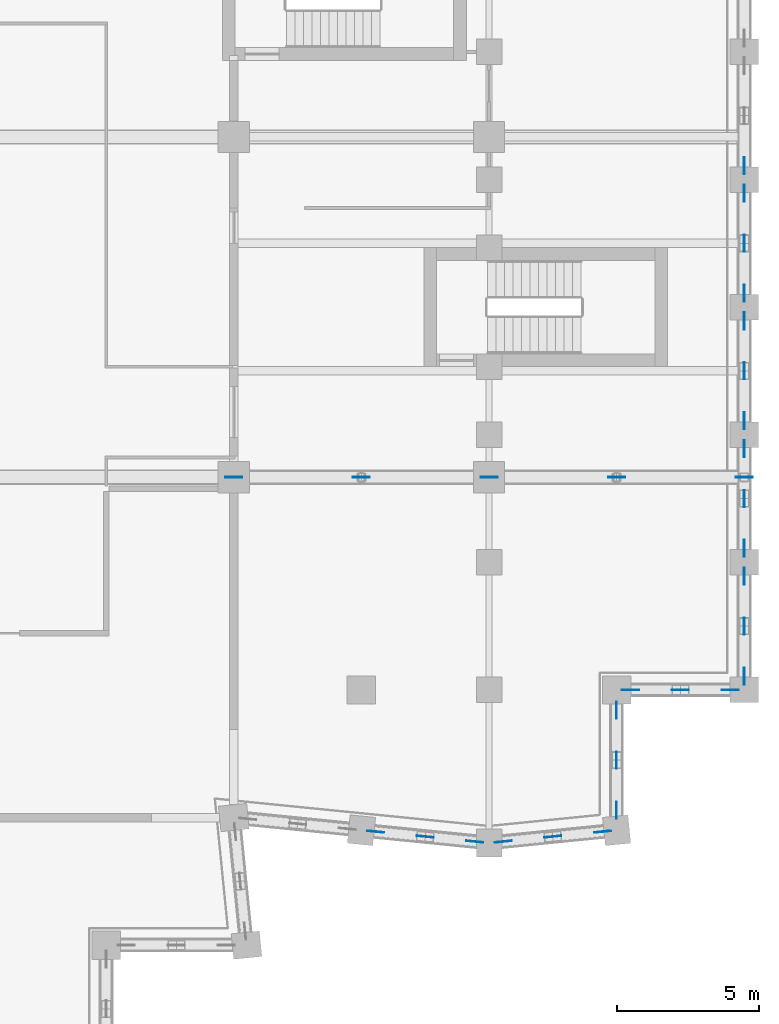
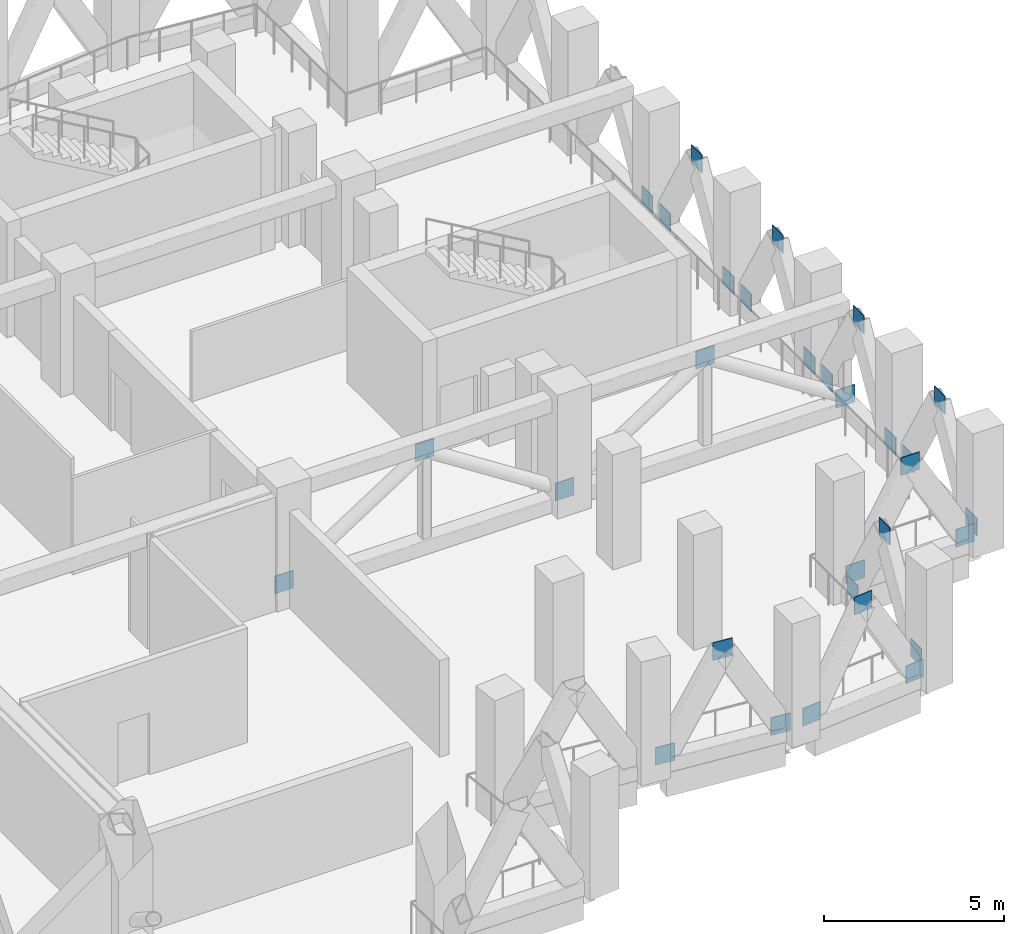
# One storey, part 13 of 18: 30 discrete accessories.
"""IFC4 building model written with IfcOpenShell, lengths in metres."""

from ifc_helpers import new_model, si_unit, direction, frame, origin, origin_2d, place, context, subcontext, project, spatial, rectangle, extrude, material, layer, layer_set, type_object, element, save


model = new_model("IFC4")

# Units and contexts
model_context = context("Model", 3, precision=1e-05, world=origin(), true_north=direction((0.0, 1.0)))
body_context = subcontext(model_context, "Body", "Model", "MODEL_VIEW")
ifc_project = project(units=[si_unit("LENGTHUNIT", "METRE"), si_unit("AREAUNIT", "SQUARE_METRE"), si_unit("VOLUMEUNIT", "CUBIC_METRE"), si_unit("PLANEANGLEUNIT", "RADIAN"), si_unit("MASSUNIT", "GRAM", prefix="KILO")], contexts=[model_context])

# Site, building, storey
site_placement = place(None, origin())
site = spatial("IfcSite", under=ifc_project, at=site_placement, CompositionType="ELEMENT")
building_placement = place(site_placement, origin())
building = spatial("IfcBuilding", under=site, at=building_placement, Name="Brondeck Convention Tower", CompositionType="ELEMENT")
storey_placement = place(building_placement, frame((0.0, 0.0, 248.199951171875)))
storey = spatial("IfcBuildingStorey", under=building, at=storey_placement, Name="L61", CompositionType="ELEMENT", Elevation=248.199951171875)

# Discrete accessories
ifc_material = material(Name="Steel S460", Category="steel")
ifc_layer = layer(ifc_material, 0.02490234375)
ifc_layer_set = layer_set([ifc_layer], Name="Gusset plate 600x600x25 Steel S460")
discrete_accessory_type = type_object("IfcDiscreteAccessoryType", Name="Gusset plate 600x600x25 Steel S460", PredefinedType="BRACKET", material=ifc_layer_set)
for number, where, z_axis, x_axis, name in (
    (1, (40.997802734375, 26.500244140625, 0.199951171875), (0.0, 0.0, 1.0), (-0.9950364836, 0.099510784867, 0.0), "Gusset plate GP-690"),
    (2, (42.75, 26.324951171875, 3.25), (0.0, 0.0, 1.0), (-0.9950364836, 0.099510784867, 0.0), "Gusset plate GP-691"),
    (3, (44.502197265625, 26.14990234375, 0.199951171875), (0.0, 0.0, 1.0), (-0.9950364836, 0.099510784867, 0.0), "Gusset plate GP-692"),
    (4, (45.497802734375, 26.14990234375, 0.199951171875), (0.0, 0.0, 1.0), (0.9950364836, 0.099510784867, 0.0), "Gusset plate GP-693"),
    (5, (47.25, 26.324951171875, 3.25), (0.0, 0.0, 1.0), (0.9950364836, 0.099510784867, 0.0), "Gusset plate GP-694"),
    (6, (49.002197265625, 26.500244140625, 0.199951171875), (0.0, 0.0, 1.0), (0.9950364836, 0.099510784867, 0.0), "Gusset plate GP-695"),
    (7, (49.5, 27.26416015625, 0.199951171875), (0.0, 0.0, 1.0), (0.0, 1.0, 0.0), "Gusset plate GP-696"),
    (8, (49.5, 29.02490234375, 3.25), (0.0, 0.0, 1.0), (0.0, 1.0, 0.0), "Gusset plate GP-697"),
    (9, (49.5, 30.785888671875, 0.199951171875), (0.0, 0.0, 1.0), (0.0, 1.0, 0.0), "Gusset plate GP-698"),
    (10, (49.989013671875, 31.5, 0.199951171875), (0.0, 0.0, 1.0), (1.0, 0.0, 0.0), "Gusset plate GP-699"),
    (11, (51.75, 31.5, 3.25), (0.0, 0.0, 1.0), (1.0, 0.0, 0.0), "Gusset plate GP-700"),
    (12, (53.510986328125, 31.5, 0.199951171875), (0.0, 0.0, 1.0), (1.0, 0.0, 0.0), "Gusset plate GP-701"),
    (13, (54.0, 31.989013671875, 0.199951171875), (0.0, 0.0, 1.0), (0.0, 1.0, 0.0), "Gusset plate GP-702"),
    (14, (54.0, 33.75, 3.25), (0.0, 0.0, 1.0), (0.0, 1.0, 0.0), "Gusset plate GP-703"),
    (15, (54.0, 35.510986328125, 0.199951171875), (0.0, 0.0, 1.0), (0.0, 1.0, 0.0), "Gusset plate GP-704"),
    (16, (54.0, 36.489013671875, 0.199951171875), (0.0, 0.0, 1.0), (0.0, 1.0, 0.0), "Gusset plate GP-705"),
    (17, (54.0, 38.25, 3.25), (0.0, 0.0, 1.0), (0.0, 1.0, 0.0), "Gusset plate GP-706"),
    (18, (54.0, 40.010986328125, 0.199951171875), (0.0, 0.0, 1.0), (0.0, 1.0, 0.0), "Gusset plate GP-707"),
    (19, (54.0, 40.989013671875, 0.199951171875), (0.0, 0.0, 1.0), (0.0, 1.0, 0.0), "Gusset plate GP-708"),
    (20, (54.0, 42.75, 3.25), (0.0, 0.0, 1.0), (0.0, 1.0, 0.0), "Gusset plate GP-709"),
    (21, (54.0, 44.510986328125, 0.199951171875), (0.0, 0.0, 1.0), (0.0, 1.0, 0.0), "Gusset plate GP-710"),
    (22, (54.0, 45.489013671875, 0.199951171875), (0.0, 0.0, 1.0), (0.0, 1.0, 0.0), "Gusset plate GP-711"),
    (23, (54.0, 47.25, 3.25), (0.0, 0.0, 1.0), (0.0, 1.0, 0.0), "Gusset plate GP-712"),
    (24, (54.0, 49.010986328125, 0.199951171875), (0.0, 0.0, 1.0), (0.0, 1.0, 0.0), "Gusset plate GP-713"),
    (25, (54.0, 49.989013671875, 0.199951171875), (0.0, 0.0, 1.0), (0.0, 1.0, 0.0), "Gusset plate GP-714"),
    (26, (36.0, 39.0, 0.199951171875), (0.0, 0.0, 1.0), (1.0, 0.0, 0.0), "Gusset plate GP-792"),
    (27, (40.5, 39.0, 3.10009765625), (0.0, 0.0, 1.0), (1.0, 0.0, 0.0), "Gusset plate GP-793"),
    (28, (45.0, 39.0, 0.199951171875), (0.0, 0.0, 1.0), (1.0, 0.0, 0.0), "Gusset plate GP-794"),
    (29, (49.5, 39.0, 3.10009765625), (0.0, 0.0, 1.0), (1.0, 0.0, 0.0), "Gusset plate GP-795"),
    (30, (54.0, 39.0, 0.199951171875), (0.0, 0.0, 1.0), (1.0, 0.0, 0.0), "Gusset plate GP-796"),
):
    element("IfcDiscreteAccessory", number, at=place(storey_placement, frame(where, z_axis=z_axis, x_axis=x_axis)), inside=storey, type_object=discrete_accessory_type, Name=name, PredefinedType="BRACKET", context=body_context, shape_type="SweptSolid", body=[
        extrude(rectangle(XDim=0.60009765625, YDim=0.02490234375, at=origin_2d()), origin(), (0.0, 0.0, 1.0), 0.60009765625),
    ])

save(model, "model.ifc")
